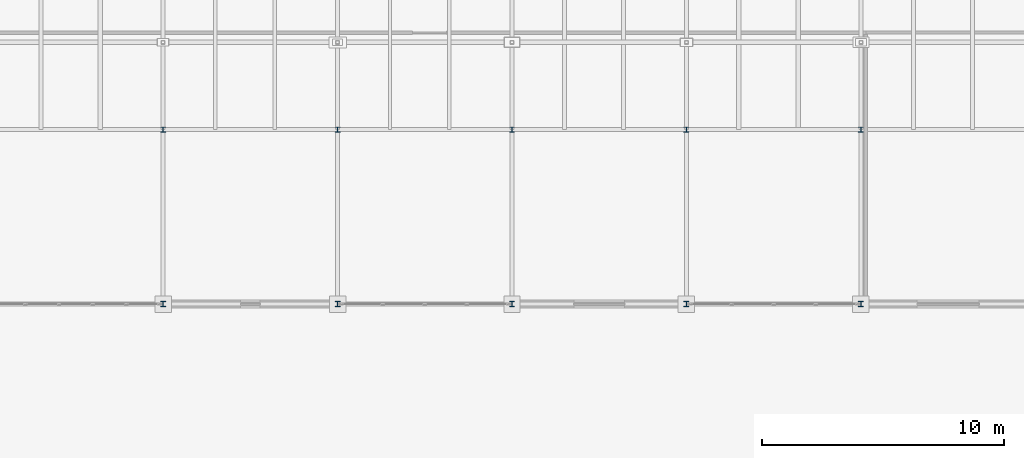
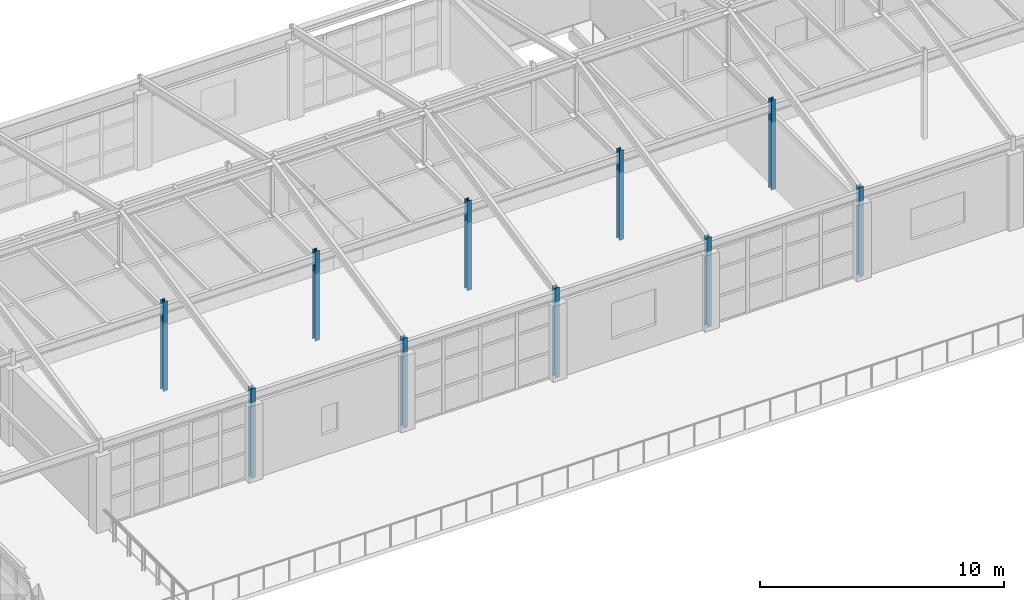
# One storey, part 6 of 101: 10 columns.
"""IFC4 building model written with IfcOpenShell, lengths in metres."""

from ifc_helpers import new_model, si_unit, direction, frame, origin, origin_2d, place, context, subcontext, project, spatial, i_section, extrude, material, material_profile, profile_set, type_object, element, save


model = new_model("IFC4")

# Units and contexts
model_context = context("Model", 3, precision=1e-05, world=origin(), true_north=direction((0.0, 1.0)))
body_context = subcontext(model_context, "Body", "Model", "MODEL_VIEW")
ifc_project = project(units=[si_unit("LENGTHUNIT", "METRE"), si_unit("AREAUNIT", "SQUARE_METRE"), si_unit("VOLUMEUNIT", "CUBIC_METRE"), si_unit("PLANEANGLEUNIT", "RADIAN"), si_unit("MASSUNIT", "GRAM", prefix="KILO")], contexts=[model_context])

# Site, building, storey
site_placement = place(None, origin())
site = spatial("IfcSite", under=ifc_project, at=site_placement, CompositionType="ELEMENT")
building_placement = place(site_placement, origin())
building = spatial("IfcBuilding", under=site, at=building_placement, Name="Kemerveld Promenade Tramway Depot", CompositionType="ELEMENT")
storey_placement = place(building_placement, frame((0.0, 0.0, 9.89990234375)))
storey = spatial("IfcBuildingStorey", under=building, at=storey_placement, Name="L02", CompositionType="ELEMENT", Elevation=9.89990234375)

# Columns
ifc_material = material(Name="Steel S355", Category="steel")
ifc_material_profile = material_profile(ifc_material, i_section(OverallWidth=0.205810546875, OverallDepth=0.209716796875, WebThickness=0.009521484375, FlangeThickness=0.01416015625, FilletRadius=0.01025390625, at=origin_2d()), Name="203x203x60 UC")
ifc_profile_set = profile_set([ifc_material_profile], Name="Steel S355")
column_type = type_object("IfcColumnType", Name="COL-S10", PredefinedType="COLUMN", material=ifc_profile_set)
for number, where, z_axis, x_axis, name in (
    (1, (64.800048828125, 7.199951171875, 0.0), (0.0, 0.0, 1.0), (1.0, 0.0, 0.0), "COL-L02-10-B"),
    (2, (64.800048828125, 14.39990234375, 0.0), (0.0, 0.0, 1.0), (1.0, 0.0, 0.0), "COL-L02-10-C"),
    (3, (72.0, 7.199951171875, 0.0), (0.0, 0.0, 1.0), (1.0, 0.0, 0.0), "COL-L02-11-B"),
    (4, (72.0, 14.39990234375, 0.0), (0.0, 0.0, 1.0), (1.0, 0.0, 0.0), "COL-L02-11-C"),
    (5, (79.199951171875, 7.199951171875, 0.0), (0.0, 0.0, 1.0), (1.0, 0.0, 0.0), "COL-L02-12-B"),
    (6, (79.199951171875, 14.39990234375, 0.0), (0.0, 0.0, 1.0), (1.0, 0.0, 0.0), "COL-L02-12-C"),
    (7, (86.39990234375, 7.199951171875, 0.0), (0.0, 0.0, 1.0), (1.0, 0.0, 0.0), "COL-L02-13-B"),
    (8, (86.39990234375, 14.39990234375, 0.0), (0.0, 0.0, 1.0), (1.0, 0.0, 0.0), "COL-L02-13-C"),
    (9, (93.60009765625, 7.199951171875, 0.0), (0.0, 0.0, 1.0), (1.0, 0.0, 0.0), "COL-L02-14-B"),
    (10, (93.60009765625, 14.39990234375, 0.0), (0.0, 0.0, 1.0), (1.0, 0.0, 0.0), "COL-L02-14-C"),
):
    element("IfcColumn", number, at=place(storey_placement, frame(where, z_axis=z_axis, x_axis=x_axis)), inside=storey, type_object=column_type, Name=name, PredefinedType="COLUMN", context=body_context, shape_type="SweptSolid", body=[
        extrude(i_section(OverallWidth=0.205810546875, OverallDepth=0.209716796875, WebThickness=0.009521484375, FlangeThickness=0.01416015625, FilletRadius=0.01025390625, at=origin_2d()), origin(), (0.0, 0.0, 1.0), 4.5),
    ])

save(model, "model.ifc")
